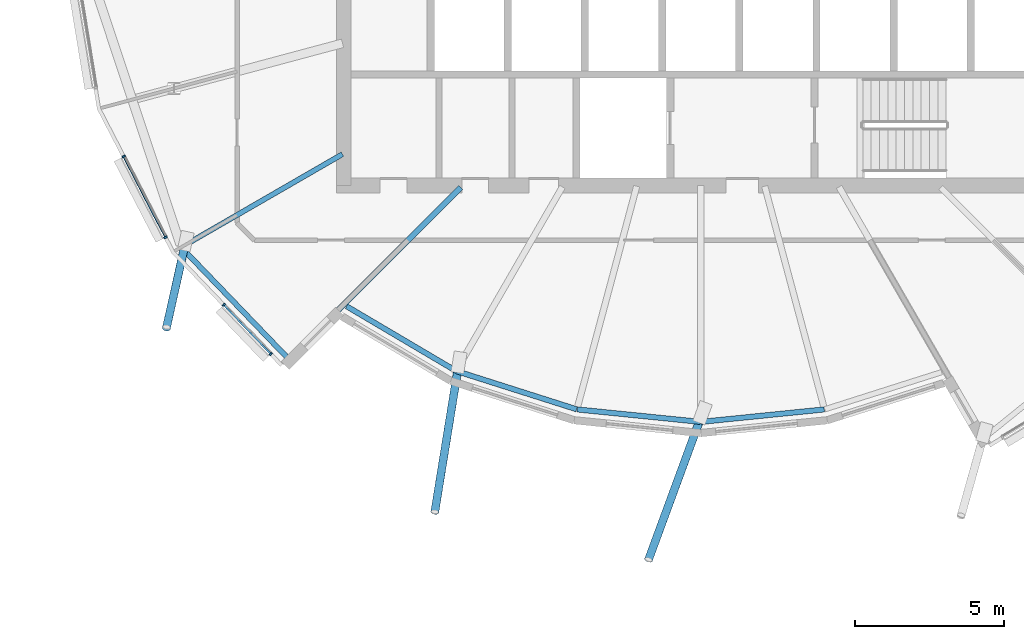
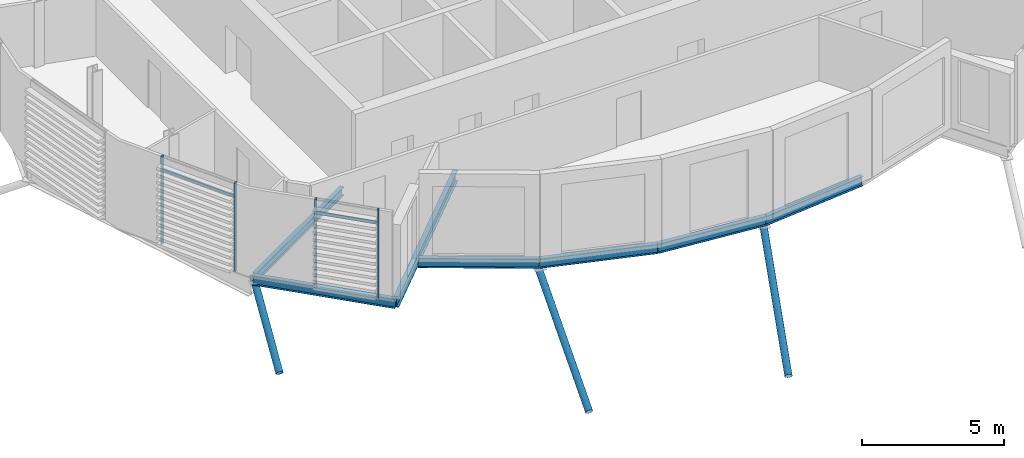
# One storey, part 3 of 41: 9 members, 7 beams, 1 element without a shape of its own.
"""IFC4 building model written with IfcOpenShell, lengths in metres."""

from ifc_helpers import new_model, si_unit, direction, frame, origin, origin_2d, place, context, subcontext, project, spatial, rectangle, hollow_circle, i_section, extrude, clip, halfspace, material, material_profile, profile_set, type_object, element, aggregate, save


model = new_model("IFC4")

# Units and contexts
model_context = context("Model", 3, precision=1e-05, world=origin(), true_north=direction((0.0, 1.0)))
body_context = subcontext(model_context, "Body", "Model", "MODEL_VIEW")
ifc_project = project(units=[si_unit("LENGTHUNIT", "METRE"), si_unit("AREAUNIT", "SQUARE_METRE"), si_unit("VOLUMEUNIT", "CUBIC_METRE"), si_unit("PLANEANGLEUNIT", "RADIAN"), si_unit("MASSUNIT", "GRAM", prefix="KILO")], contexts=[model_context])

# Site, building, storey
site_placement = place(None, origin())
site = spatial("IfcSite", under=ifc_project, at=site_placement, CompositionType="ELEMENT")
building_placement = place(site_placement, origin())
building = spatial("IfcBuilding", under=site, at=building_placement, Name="Rimbun Link Towers", CompositionType="ELEMENT")
storey_placement = place(building_placement, frame((0.0, 0.0, 214.300048828125)))
storey = spatial("IfcBuildingStorey", under=building, at=storey_placement, Name="L52", CompositionType="ELEMENT", Elevation=214.300048828125)

# Curtain wall, members
ifc_material_1 = material(Name="Aluminium 6063-T6 and low-iron glass", Category="aluminium")
curtain_wall_type = type_object("IfcCurtainWallType", Name="CW1-Z4 unitised vision wall (zone 4)", PredefinedType="NOTDEFINED", material=ifc_material_1)
curtain_wall_placement = place(storey_placement, origin())
curtain_wall = element("IfcCurtainWall", 1, at=curtain_wall_placement, inside=storey, type_object=curtain_wall_type, Name="CW1 L52 T1", PredefinedType="NOTDEFINED")
ifc_material_2 = material(Name="Aluminium 6063-T6", Category="aluminium")
ifc_material_profile_1 = material_profile(ifc_material_2, rectangle(XDim=0.1201171875, YDim=0.06005859375, at=origin_2d()), Name="MULLION 60X120")
ifc_profile_set_1 = profile_set([ifc_material_profile_1], Name="Aluminium 6063-T6")
member_type_1 = type_object("IfcMemberType", Name="CW1 mullion 60X120", PredefinedType="MULLION", material=ifc_profile_set_1)
member_1_placement = place(storey_placement, frame((-49.740966796875, -9.74951171875, 0.0), z_axis=(0.0, 0.0, 1.0), x_axis=(-0.888150016656, -0.459553639865, 0.0)))
member_1 = element("IfcMember", 2, at=member_1_placement, type_object=member_type_1, Name="CW1 mullion", PredefinedType="MULLION", context=body_context, shape_type="SweptSolid", body=[
    extrude(rectangle(XDim=0.1201171875, YDim=0.06005859375, at=origin_2d()), origin(), (0.0, 0.0, 1.0), 3.800048828125),
])
member_2_placement = place(storey_placement, frame((-51.1474609375, -7.03125, 0.0), z_axis=(0.0, 0.0, 1.0), x_axis=(-0.888150016656, -0.459553639865, 0.0)))
member_2 = element("IfcMember", 3, at=member_2_placement, type_object=member_type_1, Name="CW1 mullion", PredefinedType="MULLION", context=body_context, shape_type="SweptSolid", body=[
    extrude(rectangle(XDim=0.1201171875, YDim=0.06005859375, at=origin_2d()), origin(), (0.0, 0.0, 1.0), 3.800048828125),
])
member_3_placement = place(storey_placement, frame((-46.200439453125, -13.6708984375, 0.0), z_axis=(0.0, 0.0, 1.0), x_axis=(-0.721846446019, -0.692053255443, 0.0)))
member_3 = element("IfcMember", 4, at=member_3_placement, type_object=member_type_1, Name="CW1 mullion", PredefinedType="MULLION", context=body_context, shape_type="SweptSolid", body=[
    extrude(rectangle(XDim=0.1201171875, YDim=0.06005859375, at=origin_2d()), origin(), (0.0, 0.0, 1.0), 3.800048828125),
])
member_4_placement = place(storey_placement, frame((-47.78271484375, -12.0205078125, 0.0), z_axis=(0.0, 0.0, 1.0), x_axis=(-0.721846446019, -0.692053255443, 0.0)))
member_4 = element("IfcMember", 5, at=member_4_placement, type_object=member_type_1, Name="CW1 mullion", PredefinedType="MULLION", context=body_context, shape_type="SweptSolid", body=[
    extrude(rectangle(XDim=0.1201171875, YDim=0.06005859375, at=origin_2d()), origin(), (0.0, 0.0, 1.0), 3.800048828125),
])
ifc_material_3 = material(Name="Aluminium 6063-T6", Category="aluminium")
ifc_material_profile_2 = material_profile(ifc_material_3, rectangle(XDim=0.06005859375, YDim=0.1201171875, at=origin_2d()), Name="TRANSOM 60X120")
ifc_profile_set_2 = profile_set([ifc_material_profile_2], Name="Aluminium 6063-T6")
member_type_2 = type_object("IfcMemberType", Name="CW1 transom 60X120", PredefinedType="USERDEFINED", material=ifc_profile_set_2)
member_5_placement = place(storey_placement, frame((-49.7529296875, -9.721923828125, 3.199951171875), z_axis=(-0.459538013842, 0.888158101823, 0.0), x_axis=(-0.888158101823, -0.459538013842, 0.0)))
member_5 = element("IfcMember", 6, at=member_5_placement, type_object=member_type_2, Name="CW1 transom", ObjectType="TRANSOM", PredefinedType="USERDEFINED", context=body_context, shape_type="SweptSolid", body=[
    extrude(rectangle(XDim=0.06005859375, YDim=0.1201171875, at=origin_2d()), origin(), (0.0, 0.0, 1.0), 3.000732421875),
])
member_6_placement = place(storey_placement, frame((-46.2197265625, -13.64794921875, 3.199951171875), z_axis=(-0.692036343125, 0.721862659925, 0.0), x_axis=(-0.721862659925, -0.692036343125, 0.0)))
member_6 = element("IfcMember", 7, at=member_6_placement, type_object=member_type_2, Name="CW1 transom", ObjectType="TRANSOM", PredefinedType="USERDEFINED", context=body_context, shape_type="SweptSolid", body=[
    extrude(rectangle(XDim=0.06005859375, YDim=0.1201171875, at=origin_2d()), origin(), (0.0, 0.0, 1.0), 2.226318359375),
])
aggregate(curtain_wall, [member_1, member_2, member_3, member_4, member_5, member_6])

# Members
ifc_material_4 = material(Name="Steel S355J2H", Category="steel")
ifc_material_profile_3 = material_profile(ifc_material_4, hollow_circle(Radius=0.136474609375, WallThickness=0.012451171875, at=origin_2d()), Name="CHS 273x12.5")
ifc_profile_set_3 = profile_set([ifc_material_profile_3], Name="Steel S355J2H")
member_type_3 = type_object("IfcMemberType", Name="Floor edge link CHS 273x12.5", PredefinedType="BRACE", material=ifc_profile_set_3)
member_7_placement = place(storey_placement, frame((-49.08837890625, -10.010498046875, -0.608154296875), z_axis=(-0.180578032738, -0.808308372573, -0.560383037681), x_axis=(0.975942534979, -0.218027907431, 0.0)))
element("IfcMember", 8, at=member_7_placement, inside=storey, type_object=member_type_3, Name="Floor edge link T1 L52 14", PredefinedType="BRACE", context=body_context, shape_type="Clipping", body=[
    clip(extrude(hollow_circle(Radius=0.136474609375, WallThickness=0.012451171875, at=origin_2d()), frame((0.0, 0.0, -0.42138671875)), (0.0, 0.0, 1.0), 3.890625), halfspace(frame((0.0, 0.0, -0.1982421875), z_axis=(0.0, 0.82823357278, -0.560383037681)), False)),
])
member_8_placement = place(storey_placement, frame((-39.901611328125, -14.118896484375, -0.792236328125), z_axis=(-0.138545711026, -0.855902707821, -0.498232516704), x_axis=(0.987150873718, -0.159790965071, 0.0)))
element("IfcMember", 9, at=member_8_placement, inside=storey, type_object=member_type_3, Name="Floor edge link T1 L52 16", PredefinedType="BRACE", context=body_context, shape_type="Clipping", body=[
    clip(extrude(hollow_circle(Radius=0.136474609375, WallThickness=0.012451171875, at=origin_2d()), frame((0.0, 0.0, -0.4951171875)), (0.0, 0.0, 1.0), 6.185302734375), halfspace(frame((0.0, 0.0, -0.235107421875), z_axis=(0.0, 0.867043458714, -0.498232516704)), False)),
])
member_9_placement = place(storey_placement, frame((-31.75, -15.8125, -0.793212890625), z_axis=(-0.301366928258, -0.819497011748, -0.487444994115), x_axis=(0.938548407953, -0.345147629181, 0.0)))
element("IfcMember", 10, at=member_9_placement, inside=storey, type_object=member_type_3, Name="Floor edge link T1 L52 18", PredefinedType="BRACE", context=body_context, shape_type="Clipping", body=[
    clip(extrude(hollow_circle(Radius=0.136474609375, WallThickness=0.012451171875, at=origin_2d()), frame((0.0, 0.0, -0.509521484375)), (0.0, 0.0, 1.0), 6.341552734375), halfspace(frame((0.0, 0.0, -0.2421875), z_axis=(0.0, 0.8731536965, -0.487444994115)), False)),
])

# Beams
ifc_material_5 = material(Name="Steel S355J2", Category="steel")
ifc_material_profile_4 = material_profile(ifc_material_5, i_section(OverallWidth=0.17138671875, OverallDepth=0.35498046875, WebThickness=0.00732421875, FlangeThickness=0.011474609375, at=origin_2d()), Name="UB 356x171x51")
ifc_profile_set_4 = profile_set([ifc_material_profile_4], Name="Steel S355J2")
beam_type_1 = type_object("IfcBeamType", Name="UB 356x171x51", PredefinedType="BEAM", material=ifc_profile_set_4)
beam_1_placement = place(storey_placement, frame((-43.793701171875, -6.95361328125, -0.317626953125), z_axis=(-0.866038500573, -0.499977315012, 0.0), x_axis=(0.499977315012, -0.866038500573, 0.0)))
element("IfcBeam", 11, at=beam_1_placement, inside=storey, type_object=beam_type_1, Name="Radial beam T1 L52 14", PredefinedType="BEAM", context=body_context, shape_type="SweptSolid", body=[
    extrude(i_section(OverallWidth=0.17138671875, OverallDepth=0.35498046875, WebThickness=0.00732421875, FlangeThickness=0.011474609375, at=origin_2d()), origin(), (0.0, 0.0, 1.0), 6.163818359375),
])
ifc_material_6 = material(Name="Steel S355J2", Category="steel")
ifc_material_profile_5 = material_profile(ifc_material_6, i_section(OverallWidth=0.177978515625, OverallDepth=0.406494140625, WebThickness=0.0078125, FlangeThickness=0.0126953125, at=origin_2d()), Name="UB 406x178x60")
ifc_profile_set_5 = profile_set([ifc_material_profile_5], Name="Steel S355J2")
beam_type_2 = type_object("IfcBeamType", Name="UB 406x178x60", PredefinedType="BEAM", material=ifc_profile_set_5)
beam_2_placement = place(storey_placement, frame((-49.211181640625, -10.08251953125, -0.34326171875), z_axis=(0.693025487192, -0.720913083598, 0.0), x_axis=(0.720913083598, 0.693025487192, 0.0)))
element("IfcBeam", 12, at=beam_2_placement, inside=storey, type_object=beam_type_2, Name="Edge beam T1 L52 14", PredefinedType="BEAM", context=body_context, shape_type="SweptSolid", body=[
    extrude(i_section(OverallWidth=0.177978515625, OverallDepth=0.406494140625, WebThickness=0.0078125, FlangeThickness=0.0126953125, at=origin_2d()), origin(), (0.0, 0.0, 1.0), 5.2177734375),
])
beam_3_placement = place(storey_placement, frame((-43.650390625, -12.0673828125, -0.34326171875), z_axis=(0.860996091621, -0.508611571057, 0.0), x_axis=(0.508611571057, 0.860996091621, 0.0)))
element("IfcBeam", 13, at=beam_3_placement, inside=storey, type_object=beam_type_2, Name="Edge beam T1 L52 15 recess", PredefinedType="BEAM", context=body_context, shape_type="SweptSolid", body=[
    extrude(i_section(OverallWidth=0.177978515625, OverallDepth=0.406494140625, WebThickness=0.0078125, FlangeThickness=0.0126953125, at=origin_2d()), origin(), (0.0, 0.0, 1.0), 4.261474609375),
])
beam_4_placement = place(storey_placement, frame((-39.961181640625, -14.243896484375, -0.34326171875), z_axis=(0.952974931394, -0.303049138152, 0.0), x_axis=(0.303049138152, 0.952974931394, 0.0)))
element("IfcBeam", 14, at=beam_4_placement, inside=storey, type_object=beam_type_2, Name="Edge beam T1 L52 16 recess", PredefinedType="BEAM", context=body_context, shape_type="SweptSolid", body=[
    extrude(i_section(OverallWidth=0.177978515625, OverallDepth=0.406494140625, WebThickness=0.0078125, FlangeThickness=0.0126953125, at=origin_2d()), origin(), (0.0, 0.0, 1.0), 4.2392578125),
])
for number, where, z_axis, x_axis, name in (
    (15, (-35.901611328125, -15.53271484375, -0.34326171875), (0.994928596191, -0.100583738651, 0.0), (0.100583738651, 0.994928596191, 0.0), "Edge beam T1 L52 17 recess"),
    (16, (-31.739990234375, -15.951416015625, -0.34326171875), (0.994928596191, 0.100583738651, 0.0), (-0.100583738651, 0.994928596191, 0.0), "Edge beam T1 L52 18 recess"),
):
    element("IfcBeam", number, at=place(storey_placement, frame(where, z_axis=z_axis, x_axis=x_axis)), inside=storey, type_object=beam_type_2, Name=name, PredefinedType="BEAM", context=body_context, shape_type="SweptSolid", body=[
        extrude(i_section(OverallWidth=0.177978515625, OverallDepth=0.406494140625, WebThickness=0.0078125, FlangeThickness=0.0126953125, at=origin_2d()), origin(), (0.0, 0.0, 1.0), 4.16259765625),
    ])
ifc_material_7 = material(Name="Steel S355J2", Category="steel")
ifc_material_profile_6 = material_profile(ifc_material_7, i_section(OverallWidth=0.18994140625, OverallDepth=0.453369140625, WebThickness=0.008544921875, FlangeThickness=0.0126953125, at=origin_2d()), Name="UB 457x191x67")
ifc_profile_set_6 = profile_set([ifc_material_profile_6], Name="Steel S355J2")
beam_type_3 = type_object("IfcBeamType", Name="UB 457x191x67", PredefinedType="BEAM", material=ifc_profile_set_6)
beam_5_placement = place(storey_placement, frame((-39.81787109375, -8.06787109375, -0.36669921875), z_axis=(-0.707106781187, -0.707106781187, 0.0), x_axis=(0.707106781187, -0.707106781187, 0.0)))
element("IfcBeam", 17, at=beam_5_placement, inside=storey, type_object=beam_type_3, Name="Radial beam T1 L52 15", PredefinedType="BEAM", context=body_context, shape_type="SweptSolid", body=[
    extrude(i_section(OverallWidth=0.18994140625, OverallDepth=0.453369140625, WebThickness=0.008544921875, FlangeThickness=0.0126953125, at=origin_2d()), origin(), (0.0, 0.0, 1.0), 8.07958984375),
])

save(model, "model.ifc")
